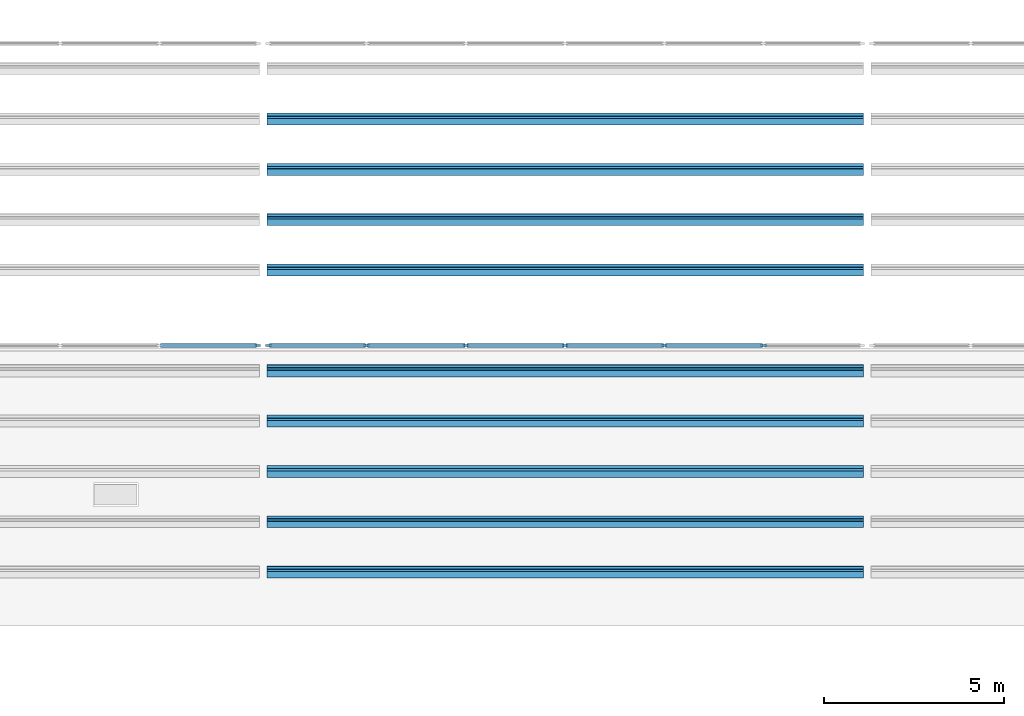
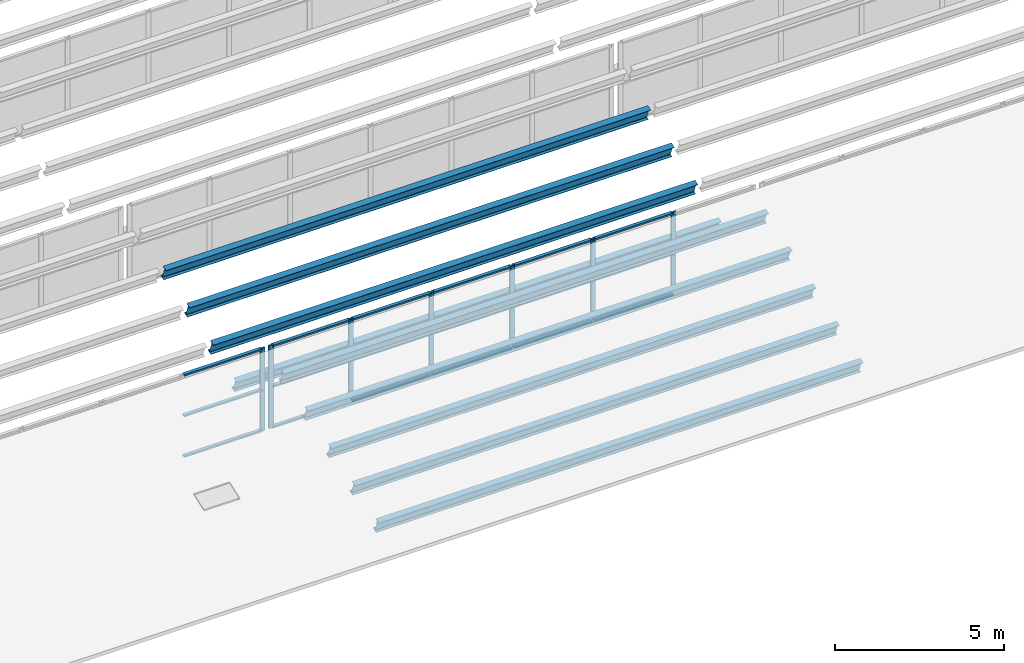
# One storey, part 8 of 116: 34 members, 2 elements without a shape of their own.
"""IFC4 building model written with IfcOpenShell, lengths in metres."""

from ifc_helpers import new_model, si_unit, direction, frame, origin, origin_2d, place, context, subcontext, project, spatial, rectangle, i_section, extrude, material, material_profile, profile_set, type_object, element, aggregate, save


model = new_model("IFC4")

# Units and contexts
model_context = context("Model", 3, precision=1e-05, world=origin(), true_north=direction((0.0, 1.0)))
body_context = subcontext(model_context, "Body", "Model", "MODEL_VIEW")
ifc_project = project(units=[si_unit("LENGTHUNIT", "METRE"), si_unit("AREAUNIT", "SQUARE_METRE"), si_unit("VOLUMEUNIT", "CUBIC_METRE"), si_unit("PLANEANGLEUNIT", "RADIAN"), si_unit("MASSUNIT", "GRAM", prefix="KILO")], contexts=[model_context])

# Site, building, storey
site_placement = place(None, origin())
site = spatial("IfcSite", under=ifc_project, at=site_placement, CompositionType="ELEMENT")
building_placement = place(site_placement, origin())
building = spatial("IfcBuilding", under=site, at=building_placement, Name="Fescue Hill Polytechnic", CompositionType="ELEMENT")
storey_placement = place(building_placement, frame((0.0, 0.0, 13.5)))
storey = spatial("IfcBuildingStorey", under=building, at=storey_placement, Name="L03", CompositionType="ELEMENT", Elevation=13.5)

# Curtain wall, member
ifc_material_1 = material(Name="Aluminium and glass", Category="aluminium")
curtain_wall_type = type_object("IfcCurtainWallType", Name="Sawtooth north glazing curtain wall", PredefinedType="NOTDEFINED", material=ifc_material_1)
curtain_wall_1_placement = place(storey_placement, origin())
curtain_wall_1 = element("IfcCurtainWall", 1, at=curtain_wall_1_placement, inside=storey, type_object=curtain_wall_type, Name="Sawtooth 1 north glazing bay 2", PredefinedType="NOTDEFINED")
ifc_material_2 = material(Name="Aluminium", Category="aluminium")
ifc_material_profile_1 = material_profile(ifc_material_2, rectangle(XDim=0.06005859375, YDim=0.159912109375, at=origin_2d()), Name="Curtain wall mullion 60x160")
ifc_profile_set_1 = profile_set([ifc_material_profile_1], Name="Aluminium")
member_type_1 = type_object("IfcMemberType", Name="Curtain wall mullion 60x160", PredefinedType="MULLION", material=ifc_profile_set_1)
member_1_placement = place(storey_placement, frame((33.449951171875, 25.199951171875, 0.0), z_axis=(0.0, 0.0, 1.0), x_axis=(0.0, 1.0, 0.0)))
member_1 = element("IfcMember", 2, at=member_1_placement, type_object=member_type_1, Name="CW2 mullion 7", PredefinedType="MULLION", context=body_context, shape_type="SweptSolid", body=[
    extrude(rectangle(XDim=0.06005859375, YDim=0.159912109375, at=origin_2d()), origin(), (0.0, 0.0, 1.0), 3.0),
])

# Curtain wall, members
curtain_wall_2_placement = place(storey_placement, origin())
curtain_wall_2 = element("IfcCurtainWall", 3, at=curtain_wall_2_placement, inside=storey, type_object=curtain_wall_type, Name="Sawtooth 1 north glazing bay 3", PredefinedType="NOTDEFINED")
member_2_placement = place(storey_placement, frame((33.75, 25.199951171875, 0.0), z_axis=(0.0, 0.0, 1.0), x_axis=(0.0, 1.0, 0.0)))
member_2 = element("IfcMember", 4, at=member_2_placement, type_object=member_type_1, Name="CW3 mullion 1", PredefinedType="MULLION", context=body_context, shape_type="SweptSolid", body=[
    extrude(rectangle(XDim=0.06005859375, YDim=0.159912109375, at=origin_2d()), origin(), (0.0, 0.0, 1.0), 3.0),
])
member_3_placement = place(storey_placement, frame((36.47998046875, 25.199951171875, 0.0), z_axis=(0.0, 0.0, 1.0), x_axis=(0.0, 1.0, 0.0)))
member_3 = element("IfcMember", 5, at=member_3_placement, type_object=member_type_1, Name="CW3 mullion 2", PredefinedType="MULLION", context=body_context, shape_type="SweptSolid", body=[
    extrude(rectangle(XDim=0.06005859375, YDim=0.159912109375, at=origin_2d()), origin(), (0.0, 0.0, 1.0), 3.0),
])
member_4_placement = place(storey_placement, frame((39.239990234375, 25.199951171875, 0.0), z_axis=(0.0, 0.0, 1.0), x_axis=(0.0, 1.0, 0.0)))
member_4 = element("IfcMember", 6, at=member_4_placement, type_object=member_type_1, Name="CW3 mullion 3", PredefinedType="MULLION", context=body_context, shape_type="SweptSolid", body=[
    extrude(rectangle(XDim=0.06005859375, YDim=0.159912109375, at=origin_2d()), origin(), (0.0, 0.0, 1.0), 3.0),
])
member_5_placement = place(storey_placement, frame((42.0, 25.199951171875, 0.0), z_axis=(0.0, 0.0, 1.0), x_axis=(0.0, 1.0, 0.0)))
member_5 = element("IfcMember", 7, at=member_5_placement, type_object=member_type_1, Name="CW3 mullion 4", PredefinedType="MULLION", context=body_context, shape_type="SweptSolid", body=[
    extrude(rectangle(XDim=0.06005859375, YDim=0.159912109375, at=origin_2d()), origin(), (0.0, 0.0, 1.0), 3.0),
])
member_6_placement = place(storey_placement, frame((44.760009765625, 25.199951171875, 0.0), z_axis=(0.0, 0.0, 1.0), x_axis=(0.0, 1.0, 0.0)))
member_6 = element("IfcMember", 8, at=member_6_placement, type_object=member_type_1, Name="CW3 mullion 5", PredefinedType="MULLION", context=body_context, shape_type="SweptSolid", body=[
    extrude(rectangle(XDim=0.06005859375, YDim=0.159912109375, at=origin_2d()), origin(), (0.0, 0.0, 1.0), 3.0),
])
member_7_placement = place(storey_placement, frame((47.52001953125, 25.199951171875, 0.0), z_axis=(0.0, 0.0, 1.0), x_axis=(0.0, 1.0, 0.0)))
member_7 = element("IfcMember", 9, at=member_7_placement, type_object=member_type_1, Name="CW3 mullion 6", PredefinedType="MULLION", context=body_context, shape_type="SweptSolid", body=[
    extrude(rectangle(XDim=0.06005859375, YDim=0.159912109375, at=origin_2d()), origin(), (0.0, 0.0, 1.0), 3.0),
])

# Member
ifc_material_profile_2 = material_profile(ifc_material_2, rectangle(XDim=0.1201171875, YDim=0.06005859375, at=origin_2d()), Name="Curtain wall transom 60x120")
ifc_profile_set_2 = profile_set([ifc_material_profile_2], Name="Aluminium")
member_type_2 = type_object("IfcMemberType", Name="Curtain wall transom 60x120", PredefinedType="USERDEFINED", material=ifc_profile_set_2)
member_8_placement = place(storey_placement, frame((30.75, 25.199951171875, 0.030029296875), z_axis=(1.0, 0.0, 0.0), x_axis=(0.0, 1.0, 0.0)))
member_8 = element("IfcMember", 10, at=member_8_placement, type_object=member_type_2, Name="CW2 transom 6.1", ObjectType="TRANSOM", PredefinedType="USERDEFINED", context=body_context, shape_type="SweptSolid", body=[
    extrude(rectangle(XDim=0.1201171875, YDim=0.06005859375, at=origin_2d()), origin(), (0.0, 0.0, 1.0), 2.669921875),
])

member_9_placement = place(storey_placement, frame((30.75, 25.199951171875, 1.5), z_axis=(1.0, 0.0, 0.0), x_axis=(0.0, 1.0, 0.0)))
member_9 = element("IfcMember", 11, at=member_9_placement, type_object=member_type_2, Name="CW2 transom 6.2", ObjectType="TRANSOM", PredefinedType="USERDEFINED", context=body_context, shape_type="SweptSolid", body=[
    extrude(rectangle(XDim=0.1201171875, YDim=0.06005859375, at=origin_2d()), origin(), (0.0, 0.0, 1.0), 2.669921875),
])

member_10_placement = place(storey_placement, frame((30.75, 25.199951171875, 2.969970703125), z_axis=(1.0, 0.0, 0.0), x_axis=(0.0, 1.0, 0.0)))
member_10 = element("IfcMember", 12, at=member_10_placement, type_object=member_type_2, Name="CW2 transom 6.3", ObjectType="TRANSOM", PredefinedType="USERDEFINED", context=body_context, shape_type="SweptSolid", body=[
    extrude(rectangle(XDim=0.1201171875, YDim=0.06005859375, at=origin_2d()), origin(), (0.0, 0.0, 1.0), 2.669921875),
])

aggregate(curtain_wall_1, [member_1, member_8, member_9, member_10])

member_11_placement = place(storey_placement, frame((33.780029296875, 25.199951171875, 0.030029296875), z_axis=(1.0, 0.0, 0.0), x_axis=(0.0, 1.0, 0.0)))
member_11 = element("IfcMember", 13, at=member_11_placement, type_object=member_type_2, Name="CW3 transom 1.1", ObjectType="TRANSOM", PredefinedType="USERDEFINED", context=body_context, shape_type="SweptSolid", body=[
    extrude(rectangle(XDim=0.1201171875, YDim=0.06005859375, at=origin_2d()), origin(), (0.0, 0.0, 1.0), 2.669921875),
])

member_12_placement = place(storey_placement, frame((33.780029296875, 25.199951171875, 1.5), z_axis=(1.0, 0.0, 0.0), x_axis=(0.0, 1.0, 0.0)))
member_12 = element("IfcMember", 14, at=member_12_placement, type_object=member_type_2, Name="CW3 transom 1.2", ObjectType="TRANSOM", PredefinedType="USERDEFINED", context=body_context, shape_type="SweptSolid", body=[
    extrude(rectangle(XDim=0.1201171875, YDim=0.06005859375, at=origin_2d()), origin(), (0.0, 0.0, 1.0), 2.669921875),
])

member_13_placement = place(storey_placement, frame((33.780029296875, 25.199951171875, 2.969970703125), z_axis=(1.0, 0.0, 0.0), x_axis=(0.0, 1.0, 0.0)))
member_13 = element("IfcMember", 15, at=member_13_placement, type_object=member_type_2, Name="CW3 transom 1.3", ObjectType="TRANSOM", PredefinedType="USERDEFINED", context=body_context, shape_type="SweptSolid", body=[
    extrude(rectangle(XDim=0.1201171875, YDim=0.06005859375, at=origin_2d()), origin(), (0.0, 0.0, 1.0), 2.669921875),
])

member_14_placement = place(storey_placement, frame((36.510009765625, 25.199951171875, 0.030029296875), z_axis=(1.0, 0.0, 0.0), x_axis=(0.0, 1.0, 0.0)))
member_14 = element("IfcMember", 16, at=member_14_placement, type_object=member_type_2, Name="CW3 transom 2.1", ObjectType="TRANSOM", PredefinedType="USERDEFINED", context=body_context, shape_type="SweptSolid", body=[
    extrude(rectangle(XDim=0.1201171875, YDim=0.06005859375, at=origin_2d()), origin(), (0.0, 0.0, 1.0), 2.699951171875),
])

member_15_placement = place(storey_placement, frame((36.510009765625, 25.199951171875, 1.5), z_axis=(1.0, 0.0, 0.0), x_axis=(0.0, 1.0, 0.0)))
member_15 = element("IfcMember", 17, at=member_15_placement, type_object=member_type_2, Name="CW3 transom 2.2", ObjectType="TRANSOM", PredefinedType="USERDEFINED", context=body_context, shape_type="SweptSolid", body=[
    extrude(rectangle(XDim=0.1201171875, YDim=0.06005859375, at=origin_2d()), origin(), (0.0, 0.0, 1.0), 2.699951171875),
])

member_16_placement = place(storey_placement, frame((36.510009765625, 25.199951171875, 2.969970703125), z_axis=(1.0, 0.0, 0.0), x_axis=(0.0, 1.0, 0.0)))
member_16 = element("IfcMember", 18, at=member_16_placement, type_object=member_type_2, Name="CW3 transom 2.3", ObjectType="TRANSOM", PredefinedType="USERDEFINED", context=body_context, shape_type="SweptSolid", body=[
    extrude(rectangle(XDim=0.1201171875, YDim=0.06005859375, at=origin_2d()), origin(), (0.0, 0.0, 1.0), 2.699951171875),
])

member_17_placement = place(storey_placement, frame((39.27001953125, 25.199951171875, 0.030029296875), z_axis=(1.0, 0.0, 0.0), x_axis=(0.0, 1.0, 0.0)))
member_17 = element("IfcMember", 19, at=member_17_placement, type_object=member_type_2, Name="CW3 transom 3.1", ObjectType="TRANSOM", PredefinedType="USERDEFINED", context=body_context, shape_type="SweptSolid", body=[
    extrude(rectangle(XDim=0.1201171875, YDim=0.06005859375, at=origin_2d()), origin(), (0.0, 0.0, 1.0), 2.699951171875),
])

member_18_placement = place(storey_placement, frame((39.27001953125, 25.199951171875, 1.5), z_axis=(1.0, 0.0, 0.0), x_axis=(0.0, 1.0, 0.0)))
member_18 = element("IfcMember", 20, at=member_18_placement, type_object=member_type_2, Name="CW3 transom 3.2", ObjectType="TRANSOM", PredefinedType="USERDEFINED", context=body_context, shape_type="SweptSolid", body=[
    extrude(rectangle(XDim=0.1201171875, YDim=0.06005859375, at=origin_2d()), origin(), (0.0, 0.0, 1.0), 2.699951171875),
])

member_19_placement = place(storey_placement, frame((39.27001953125, 25.199951171875, 2.969970703125), z_axis=(1.0, 0.0, 0.0), x_axis=(0.0, 1.0, 0.0)))
member_19 = element("IfcMember", 21, at=member_19_placement, type_object=member_type_2, Name="CW3 transom 3.3", ObjectType="TRANSOM", PredefinedType="USERDEFINED", context=body_context, shape_type="SweptSolid", body=[
    extrude(rectangle(XDim=0.1201171875, YDim=0.06005859375, at=origin_2d()), origin(), (0.0, 0.0, 1.0), 2.699951171875),
])

member_20_placement = place(storey_placement, frame((42.030029296875, 25.199951171875, 0.030029296875), z_axis=(1.0, 0.0, 0.0), x_axis=(0.0, 1.0, 0.0)))
member_20 = element("IfcMember", 22, at=member_20_placement, type_object=member_type_2, Name="CW3 transom 4.1", ObjectType="TRANSOM", PredefinedType="USERDEFINED", context=body_context, shape_type="SweptSolid", body=[
    extrude(rectangle(XDim=0.1201171875, YDim=0.06005859375, at=origin_2d()), origin(), (0.0, 0.0, 1.0), 2.699951171875),
])

member_21_placement = place(storey_placement, frame((42.030029296875, 25.199951171875, 1.5), z_axis=(1.0, 0.0, 0.0), x_axis=(0.0, 1.0, 0.0)))
member_21 = element("IfcMember", 23, at=member_21_placement, type_object=member_type_2, Name="CW3 transom 4.2", ObjectType="TRANSOM", PredefinedType="USERDEFINED", context=body_context, shape_type="SweptSolid", body=[
    extrude(rectangle(XDim=0.1201171875, YDim=0.06005859375, at=origin_2d()), origin(), (0.0, 0.0, 1.0), 2.699951171875),
])

member_22_placement = place(storey_placement, frame((42.030029296875, 25.199951171875, 2.969970703125), z_axis=(1.0, 0.0, 0.0), x_axis=(0.0, 1.0, 0.0)))
member_22 = element("IfcMember", 24, at=member_22_placement, type_object=member_type_2, Name="CW3 transom 4.3", ObjectType="TRANSOM", PredefinedType="USERDEFINED", context=body_context, shape_type="SweptSolid", body=[
    extrude(rectangle(XDim=0.1201171875, YDim=0.06005859375, at=origin_2d()), origin(), (0.0, 0.0, 1.0), 2.699951171875),
])

member_23_placement = place(storey_placement, frame((44.7900390625, 25.199951171875, 0.030029296875), z_axis=(1.0, 0.0, 0.0), x_axis=(0.0, 1.0, 0.0)))
member_23 = element("IfcMember", 25, at=member_23_placement, type_object=member_type_2, Name="CW3 transom 5.1", ObjectType="TRANSOM", PredefinedType="USERDEFINED", context=body_context, shape_type="SweptSolid", body=[
    extrude(rectangle(XDim=0.1201171875, YDim=0.06005859375, at=origin_2d()), origin(), (0.0, 0.0, 1.0), 2.699951171875),
])

member_24_placement = place(storey_placement, frame((44.7900390625, 25.199951171875, 1.5), z_axis=(1.0, 0.0, 0.0), x_axis=(0.0, 1.0, 0.0)))
member_24 = element("IfcMember", 26, at=member_24_placement, type_object=member_type_2, Name="CW3 transom 5.2", ObjectType="TRANSOM", PredefinedType="USERDEFINED", context=body_context, shape_type="SweptSolid", body=[
    extrude(rectangle(XDim=0.1201171875, YDim=0.06005859375, at=origin_2d()), origin(), (0.0, 0.0, 1.0), 2.699951171875),
])

member_25_placement = place(storey_placement, frame((44.7900390625, 25.199951171875, 2.969970703125), z_axis=(1.0, 0.0, 0.0), x_axis=(0.0, 1.0, 0.0)))
member_25 = element("IfcMember", 27, at=member_25_placement, type_object=member_type_2, Name="CW3 transom 5.3", ObjectType="TRANSOM", PredefinedType="USERDEFINED", context=body_context, shape_type="SweptSolid", body=[
    extrude(rectangle(XDim=0.1201171875, YDim=0.06005859375, at=origin_2d()), origin(), (0.0, 0.0, 1.0), 2.699951171875),
])

aggregate(curtain_wall_2, [member_2, member_3, member_4, member_5, member_6, member_7, member_11, member_12, member_13, member_14, member_15, member_16, member_17, member_18, member_19, member_20, member_21, member_22, member_23, member_24, member_25])

# Members
ifc_material_3 = material(Name="Steel 350W (350 MPa)", Category="steel")
ifc_material_profile_3 = material_profile(ifc_material_3, i_section(OverallWidth=0.18994140625, OverallDepth=0.45703125, WebThickness=0.009033203125, FlangeThickness=0.014404296875, FilletRadius=0.0166015625, at=origin_2d()), Name="W460x74")
ifc_profile_set_3 = profile_set([ifc_material_profile_3], Name="Steel 350W (350 MPa)")
member_type_3 = type_object("IfcMemberType", Name="Tooth purlin W460x74", PredefinedType="PURLIN", material=ifc_profile_set_3)
for number, where, z_axis, x_axis, name in (
    (28, (33.70458984375, 18.89990234375, 0.294921875), (1.0, 0.0, 0.0), (0.0, 0.941741911595, 0.336336396997), "Tooth 1 purlin 2 bay 3"),
    (29, (33.70458984375, 20.300048828125, 0.794921875), (1.0, 0.0, 0.0), (0.0, 0.941741911595, 0.336336396997), "Tooth 1 purlin 3 bay 3"),
    (30, (33.70458984375, 21.699951171875, 1.294921875), (1.0, 0.0, 0.0), (0.0, 0.941741911595, 0.336336396997), "Tooth 1 purlin 4 bay 3"),
    (31, (33.70458984375, 23.10009765625, 1.794921875), (1.0, 0.0, 0.0), (0.0, 0.941741911595, 0.336336396997), "Tooth 1 purlin 5 bay 3"),
    (32, (33.70458984375, 27.300048828125, 0.294921875), (1.0, 0.0, 0.0), (0.0, 0.941741911595, 0.336336396997), "Tooth 2 purlin 2 bay 3"),
    (33, (33.70458984375, 28.699951171875, 0.794921875), (1.0, 0.0, 0.0), (0.0, 0.941741911595, 0.336336396997), "Tooth 2 purlin 3 bay 3"),
    (34, (33.70458984375, 30.10009765625, 1.294921875), (1.0, 0.0, 0.0), (0.0, 0.941741911595, 0.336336396997), "Tooth 2 purlin 4 bay 3"),
    (35, (33.70458984375, 31.5, 1.794921875), (1.0, 0.0, 0.0), (0.0, 0.941741911595, 0.336336396997), "Tooth 2 purlin 5 bay 3"),
):
    element("IfcMember", number, at=place(storey_placement, frame(where, z_axis=z_axis, x_axis=x_axis)), inside=storey, type_object=member_type_3, Name=name, PredefinedType="PURLIN", context=body_context, shape_type="SweptSolid", body=[
        extrude(i_section(OverallWidth=0.18994140625, OverallDepth=0.45703125, WebThickness=0.009033203125, FlangeThickness=0.014404296875, FilletRadius=0.0166015625, at=origin_2d()), origin(), (0.0, 0.0, 1.0), 16.5908203125),
    ])
ifc_material_profile_4 = material_profile(ifc_material_3, i_section(OverallWidth=0.193115234375, OverallDepth=0.466064453125, WebThickness=0.011474609375, FlangeThickness=0.01904296875, FilletRadius=0.01708984375, at=origin_2d()), Name="W460x97")
ifc_profile_set_4 = profile_set([ifc_material_profile_4], Name="Steel 350W (350 MPa)")
member_type_4 = type_object("IfcMemberType", Name="Tooth ridge purlin W460x97", PredefinedType="PURLIN", material=ifc_profile_set_4)
member_26_placement = place(storey_placement, frame((33.70458984375, 24.5, 2.290283203125), z_axis=(1.0, 0.0, 0.0), x_axis=(0.0, 0.941741911595, 0.336336396997)))
element("IfcMember", 36, at=member_26_placement, inside=storey, type_object=member_type_4, Name="Tooth 1 ridge purlin bay 3", PredefinedType="PURLIN", context=body_context, shape_type="SweptSolid", body=[
    extrude(i_section(OverallWidth=0.193115234375, OverallDepth=0.466064453125, WebThickness=0.011474609375, FlangeThickness=0.01904296875, FilletRadius=0.01708984375, at=origin_2d()), origin(), (0.0, 0.0, 1.0), 16.5908203125),
])

save(model, "model.ifc")
